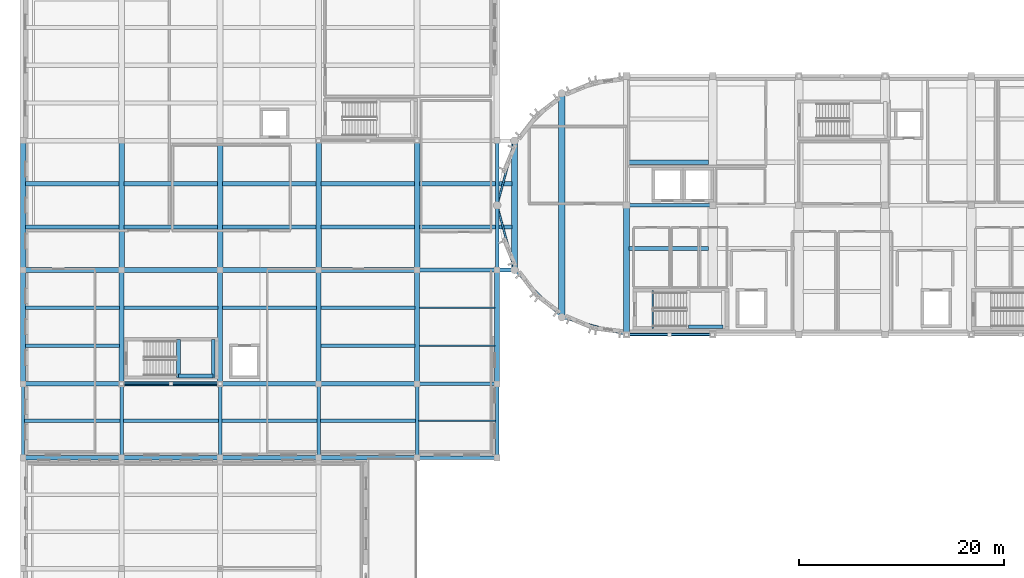
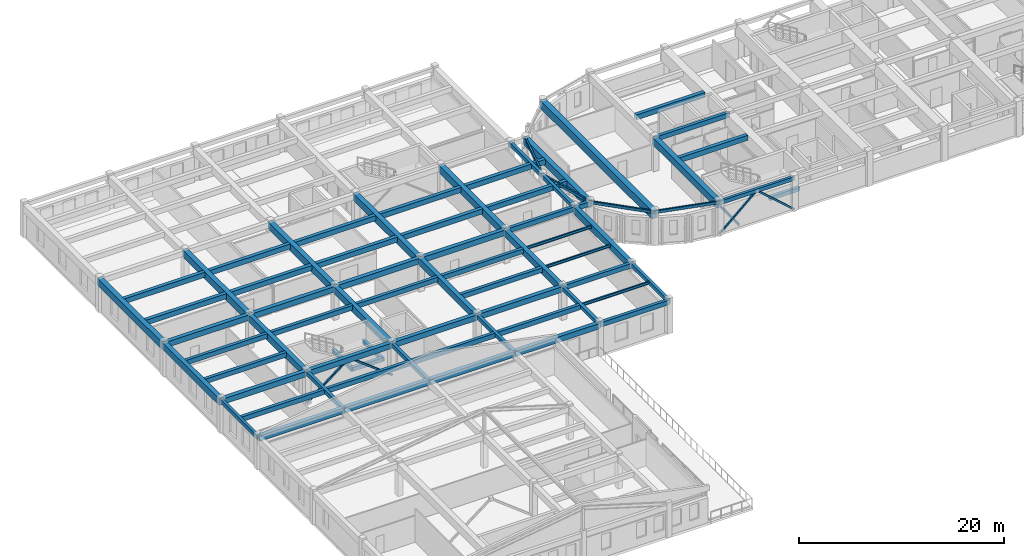
# One storey, part 6 of 31: 73 beams, 5 members.
"""IFC4 building model written with IfcOpenShell, lengths in metres."""

from ifc_helpers import new_model, si_unit, direction, frame, origin, origin_2d, place, context, subcontext, project, spatial, rectangle, hollow_rectangle, i_section, extrude, material, material_profile, profile_set, type_object, element, save


model = new_model("IFC4")

# Units and contexts
model_context = context("Model", 3, precision=1e-05, world=origin(), true_north=direction((0.0, 1.0)))
body_context = subcontext(model_context, "Body", "Model", "MODEL_VIEW")
ifc_project = project(units=[si_unit("LENGTHUNIT", "METRE"), si_unit("AREAUNIT", "SQUARE_METRE"), si_unit("VOLUMEUNIT", "CUBIC_METRE"), si_unit("PLANEANGLEUNIT", "RADIAN"), si_unit("MASSUNIT", "GRAM", prefix="KILO")], contexts=[model_context])

# Site, building, storey
site_placement = place(None, origin())
site = spatial("IfcSite", under=ifc_project, at=site_placement, CompositionType="ELEMENT")
building_placement = place(site_placement, origin())
building = spatial("IfcBuilding", under=site, at=building_placement, Name="Tarnavel Promenade Courthouse", CompositionType="ELEMENT")
storey_placement = place(building_placement, frame((0.0, 0.0, 18.60009765625)))
storey = spatial("IfcBuildingStorey", under=building, at=storey_placement, Name="L05", CompositionType="ELEMENT", Elevation=18.60009765625)

# Beams
ifc_material_1 = material(Name="Concrete C40/50", Category="concrete")
ifc_material_profile_1 = material_profile(ifc_material_1, rectangle(XDim=0.35009765625, YDim=0.550048828125, at=origin_2d()), Name="PT 350x550")
ifc_profile_set_1 = profile_set([ifc_material_profile_1], Name="Concrete C40/50")
beam_type_1 = type_object("IfcBeamType", Name="Concrete C40/50 BM-PT-350x550 (PT 350x550)", PredefinedType="JOIST", material=ifc_profile_set_1)
beam_1_placement = place(storey_placement, frame((0.1201171875, 70.800048828125, 3.64990234375), z_axis=(1.0, 0.0, 0.0), x_axis=(0.0, 1.0, 0.0)))
element("IfcBeam", 1, at=beam_1_placement, inside=storey, type_object=beam_type_1, Name="L05 Secondary Floor Rib 2330", PredefinedType="JOIST", context=body_context, shape_type="SweptSolid", body=[
    extrude(rectangle(XDim=0.35009765625, YDim=0.550048828125, at=origin_2d()), origin(), (0.0, 0.0, 1.0), 9.3349609375),
])
beam_2_placement = place(storey_placement, frame((9.7451171875, 70.800048828125, 3.64990234375), z_axis=(1.0, 0.0, 0.0), x_axis=(0.0, 1.0, 0.0)))
element("IfcBeam", 2, at=beam_2_placement, inside=storey, type_object=beam_type_1, Name="L05 Secondary Floor Rib 2331", PredefinedType="JOIST", context=body_context, shape_type="SweptSolid", body=[
    extrude(rectangle(XDim=0.35009765625, YDim=0.550048828125, at=origin_2d()), origin(), (0.0, 0.0, 1.0), 9.309814453125),
])
beam_3_placement = place(storey_placement, frame((19.344970703125, 70.800048828125, 3.64990234375), z_axis=(1.0, 0.0, 0.0), x_axis=(0.0, 1.0, 0.0)))
element("IfcBeam", 3, at=beam_3_placement, inside=storey, type_object=beam_type_1, Name="L05 Secondary Floor Rib 2332", PredefinedType="JOIST", context=body_context, shape_type="SweptSolid", body=[
    extrude(rectangle(XDim=0.35009765625, YDim=0.550048828125, at=origin_2d()), origin(), (0.0, 0.0, 1.0), 9.31005859375),
])
beam_4_placement = place(storey_placement, frame((28.945068359375, 70.800048828125, 3.64990234375), z_axis=(1.0, 0.0, 0.0), x_axis=(0.0, 1.0, 0.0)))
element("IfcBeam", 4, at=beam_4_placement, inside=storey, type_object=beam_type_1, Name="L05 Secondary Floor Rib 2333", PredefinedType="JOIST", context=body_context, shape_type="SweptSolid", body=[
    extrude(rectangle(XDim=0.35009765625, YDim=0.550048828125, at=origin_2d()), origin(), (0.0, 0.0, 1.0), 9.309814453125),
])
for number, where, z_axis, x_axis, name in (
    (5, (0.219970703125, 78.10009765625, 3.679931640625), (1.0, 0.0, 0.0), (0.0, 1.0, 0.0), "L05 Secondary Floor Rib 2335"),
    (6, (0.219970703125, 81.800048828125, 3.679931640625), (1.0, 0.0, 0.0), (0.0, 1.0, 0.0), "L05 Secondary Floor Rib 2336"),
    (7, (9.820068359375, 81.800048828125, 3.679931640625), (1.0, 0.0, 0.0), (0.0, 1.0, 0.0), "L05 Secondary Floor Rib 2337"),
):
    element("IfcBeam", number, at=place(storey_placement, frame(where, z_axis=z_axis, x_axis=x_axis)), inside=storey, type_object=beam_type_1, Name=name, PredefinedType="JOIST", context=body_context, shape_type="SweptSolid", body=[
        extrude(rectangle(XDim=0.35009765625, YDim=0.550048828125, at=origin_2d()), origin(), (0.0, 0.0, 1.0), 9.159912109375),
    ])
beam_5_placement = place(storey_placement, frame((19.419921875, 81.800048828125, 3.679931640625), z_axis=(1.0, 0.0, 0.0), x_axis=(0.0, 1.0, 0.0)))
element("IfcBeam", 8, at=beam_5_placement, inside=storey, type_object=beam_type_1, Name="L05 Secondary Floor Rib 2338", PredefinedType="JOIST", context=body_context, shape_type="SweptSolid", body=[
    extrude(rectangle(XDim=0.35009765625, YDim=0.550048828125, at=origin_2d()), origin(), (0.0, 0.0, 1.0), 9.16015625),
])
for number, where, z_axis, x_axis, name in (
    (9, (29.02001953125, 78.10009765625, 3.679931640625), (1.0, 0.0, 0.0), (0.0, 1.0, 0.0), "L05 Secondary Floor Rib 2339"),
    (10, (29.02001953125, 81.800048828125, 3.679931640625), (1.0, 0.0, 0.0), (0.0, 1.0, 0.0), "L05 Secondary Floor Rib 2340"),
):
    element("IfcBeam", number, at=place(storey_placement, frame(where, z_axis=z_axis, x_axis=x_axis)), inside=storey, type_object=beam_type_1, Name=name, PredefinedType="JOIST", context=body_context, shape_type="SweptSolid", body=[
        extrude(rectangle(XDim=0.35009765625, YDim=0.550048828125, at=origin_2d()), origin(), (0.0, 0.0, 1.0), 9.159912109375),
    ])
ifc_material_profile_2 = material_profile(ifc_material_1, rectangle(XDim=0.39990234375, YDim=0.60009765625, at=origin_2d()), Name="PT 400x600")
ifc_profile_set_2 = profile_set([ifc_material_profile_2], Name="Concrete C40/50")
beam_type_2 = type_object("IfcBeamType", Name="Concrete C40/50 BM-PT-400x600 (PT 400x600)", PredefinedType="JOIST", material=ifc_profile_set_2)
for number, where, z_axis, x_axis, name in (
    (11, (0.2451171875, 89.699951171875, 3.65478515625), (1.0, 0.0, 0.0), (0.0, 1.0, 0.0), "L05 Secondary Floor Rib 2343"),
    (12, (0.2451171875, 93.89990234375, 3.65478515625), (1.0, 0.0, 0.0), (0.0, 1.0, 0.0), "L05 Secondary Floor Rib 2344"),
):
    element("IfcBeam", number, at=place(storey_placement, frame(where, z_axis=z_axis, x_axis=x_axis)), inside=storey, type_object=beam_type_2, Name=name, PredefinedType="JOIST", context=body_context, shape_type="SweptSolid", body=[
        extrude(rectangle(XDim=0.39990234375, YDim=0.60009765625, at=origin_2d()), origin(), (0.0, 0.0, 1.0), 9.10986328125),
    ])
for number, where, z_axis, x_axis, name in (
    (13, (9.844970703125, 89.699951171875, 3.65478515625), (1.0, 0.0, 0.0), (0.0, 1.0, 0.0), "L05 Secondary Floor Rib 2345"),
    (14, (9.844970703125, 93.89990234375, 3.65478515625), (1.0, 0.0, 0.0), (0.0, 1.0, 0.0), "L05 Secondary Floor Rib 2346"),
):
    element("IfcBeam", number, at=place(storey_placement, frame(where, z_axis=z_axis, x_axis=x_axis)), inside=storey, type_object=beam_type_2, Name=name, PredefinedType="JOIST", context=body_context, shape_type="SweptSolid", body=[
        extrude(rectangle(XDim=0.39990234375, YDim=0.60009765625, at=origin_2d()), origin(), (0.0, 0.0, 1.0), 9.110107421875),
    ])
for number, where, z_axis, x_axis, name in (
    (15, (19.445068359375, 89.699951171875, 3.65478515625), (1.0, 0.0, 0.0), (0.0, 1.0, 0.0), "L05 Secondary Floor Rib 2347"),
    (16, (19.445068359375, 93.89990234375, 3.65478515625), (1.0, 0.0, 0.0), (0.0, 1.0, 0.0), "L05 Secondary Floor Rib 2348"),
):
    element("IfcBeam", number, at=place(storey_placement, frame(where, z_axis=z_axis, x_axis=x_axis)), inside=storey, type_object=beam_type_2, Name=name, PredefinedType="JOIST", context=body_context, shape_type="SweptSolid", body=[
        extrude(rectangle(XDim=0.39990234375, YDim=0.60009765625, at=origin_2d()), origin(), (0.0, 0.0, 1.0), 9.10986328125),
    ])
for number, where, z_axis, x_axis, name in (
    (17, (29.044921875, 89.699951171875, 3.65478515625), (1.0, 0.0, 0.0), (0.0, 1.0, 0.0), "L05 Secondary Floor Rib 2349"),
    (18, (29.044921875, 93.89990234375, 3.65478515625), (1.0, 0.0, 0.0), (0.0, 1.0, 0.0), "L05 Secondary Floor Rib 2350"),
):
    element("IfcBeam", number, at=place(storey_placement, frame(where, z_axis=z_axis, x_axis=x_axis)), inside=storey, type_object=beam_type_2, Name=name, PredefinedType="JOIST", context=body_context, shape_type="SweptSolid", body=[
        extrude(rectangle(XDim=0.39990234375, YDim=0.60009765625, at=origin_2d()), origin(), (0.0, 0.0, 1.0), 9.110107421875),
    ])
for number, where, z_axis, x_axis, name in (
    (19, (38.64501953125, 89.699951171875, 3.65478515625), (1.0, 0.0, 0.0), (0.0, 1.0, 0.0), "L05 Secondary Floor Rib 2351"),
    (20, (38.64501953125, 93.89990234375, 3.65478515625), (1.0, 0.0, 0.0), (0.0, 1.0, 0.0), "L05 Secondary Floor Rib 2352"),
):
    element("IfcBeam", number, at=place(storey_placement, frame(where, z_axis=z_axis, x_axis=x_axis)), inside=storey, type_object=beam_type_2, Name=name, PredefinedType="JOIST", context=body_context, shape_type="SweptSolid", body=[
        extrude(rectangle(XDim=0.39990234375, YDim=0.60009765625, at=origin_2d()), origin(), (0.0, 0.0, 1.0), 8.998046875),
    ])
beam_6_placement = place(storey_placement, frame((59.044921875, 87.60009765625, 3.65478515625), z_axis=(1.0, 0.0, 0.0), x_axis=(0.0, 1.0, 0.0)))
element("IfcBeam", 21, at=beam_6_placement, inside=storey, type_object=beam_type_2, Name="L05 Secondary Floor Rib 2366", PredefinedType="JOIST", context=body_context, shape_type="SweptSolid", body=[
    extrude(rectangle(XDim=0.39990234375, YDim=0.60009765625, at=origin_2d()), origin(), (0.0, 0.0, 1.0), 7.735107421875),
])
beam_7_placement = place(storey_placement, frame((59.044921875, 96.0, 3.65478515625), z_axis=(1.0, 0.0, 0.0), x_axis=(0.0, 1.0, 0.0)))
element("IfcBeam", 22, at=beam_7_placement, inside=storey, type_object=beam_type_2, Name="L05 Secondary Floor Rib 2372", PredefinedType="JOIST", context=body_context, shape_type="SweptSolid", body=[
    extrude(rectangle(XDim=0.39990234375, YDim=0.60009765625, at=origin_2d()), origin(), (0.0, 0.0, 1.0), 7.760009765625),
])
ifc_material_profile_3 = material_profile(ifc_material_1, rectangle(XDim=0.5, YDim=0.800048828125, at=origin_2d()), Name="PT 500x800")
ifc_profile_set_3 = profile_set([ifc_material_profile_3], Name="Concrete C40/50")
beam_type_3 = type_object("IfcBeamType", Name="Concrete C40/50 BM-PT-500x800 (PT 500x800)", PredefinedType="T_BEAM", material=ifc_profile_set_3)
for number, where, z_axis, x_axis, name in (
    (23, (0.0, 74.39990234375, 3.554931640625), (0.0, 1.0, 0.0), (-1.0, 0.0, 0.0), "L05 Transverse Girder 2280"),
    (24, (9.60009765625, 74.39990234375, 3.554931640625), (0.0, 1.0, 0.0), (-1.0, 0.0, 0.0), "L05 Transverse Girder 2286"),
    (25, (19.199951171875, 74.39990234375, 3.554931640625), (0.0, 1.0, 0.0), (-1.0, 0.0, 0.0), "L05 Transverse Girder 2293"),
    (26, (28.800048828125, 74.39990234375, 3.554931640625), (0.0, 1.0, 0.0), (-1.0, 0.0, 0.0), "L05 Transverse Girder 2300"),
    (27, (38.39990234375, 74.39990234375, 3.554931640625), (0.0, 1.0, 0.0), (-1.0, 0.0, 0.0), "L05 Transverse Girder 2304"),
    (28, (46.199951171875, 74.39990234375, 3.554931640625), (0.0, 1.0, 0.0), (-1.0, 0.0, 0.0), "L05 Transverse Girder 2308"),
):
    element("IfcBeam", number, at=place(storey_placement, frame(where, z_axis=z_axis, x_axis=x_axis)), inside=storey, type_object=beam_type_3, Name=name, PredefinedType="T_BEAM", context=body_context, shape_type="SweptSolid", body=[
        extrude(rectangle(XDim=0.5, YDim=0.800048828125, at=origin_2d()), origin(), (0.0, 0.0, 1.0), 11.10009765625),
    ])
ifc_material_profile_4 = material_profile(ifc_material_1, rectangle(XDim=0.550048828125, YDim=0.85009765625, at=origin_2d()), Name="PT 550x850")
ifc_profile_set_4 = profile_set([ifc_material_profile_4], Name="Concrete C40/50")
beam_type_4 = type_object("IfcBeamType", Name="Concrete C40/50 BM-PT-550x850 (PT 550x850)", PredefinedType="T_BEAM", material=ifc_profile_set_4)
for number, where, z_axis, x_axis, name in (
    (29, (0.0, 85.5, 3.52978515625), (0.0, 1.0, 0.0), (-1.0, 0.0, 0.0), "L05 Transverse Girder 2281"),
    (30, (9.60009765625, 85.5, 3.52978515625), (0.0, 1.0, 0.0), (-1.0, 0.0, 0.0), "L05 Transverse Girder 2287"),
    (31, (19.199951171875, 85.5, 3.52978515625), (0.0, 1.0, 0.0), (-1.0, 0.0, 0.0), "L05 Transverse Girder 2294"),
    (32, (28.800048828125, 85.5, 3.52978515625), (0.0, 1.0, 0.0), (-1.0, 0.0, 0.0), "L05 Transverse Girder 2301"),
    (33, (38.39990234375, 85.5, 3.52978515625), (0.0, 1.0, 0.0), (-1.0, 0.0, 0.0), "L05 Transverse Girder 2305"),
    (34, (47.88818359375, 85.5, 3.52978515625), (0.0, 1.0, 0.0), (-1.0, 0.0, 0.0), "L05 Transverse Girder 2312"),
    (35, (58.800048828125, 79.199951171875, 3.52978515625), (0.0, 1.0, 0.0), (-1.0, 0.0, 0.0), "L05 Transverse Girder 2314"),
):
    element("IfcBeam", number, at=place(storey_placement, frame(where, z_axis=z_axis, x_axis=x_axis)), inside=storey, type_object=beam_type_4, Name=name, PredefinedType="T_BEAM", context=body_context, shape_type="SweptSolid", body=[
        extrude(rectangle(XDim=0.550048828125, YDim=0.85009765625, at=origin_2d()), origin(), (0.0, 0.0, 1.0), 12.60009765625),
    ])
ifc_material_profile_5 = material_profile(ifc_material_1, rectangle(XDim=0.60009765625, YDim=0.949951171875, at=origin_2d()), Name="PT 600x950")
ifc_profile_set_5 = profile_set([ifc_material_profile_5], Name="Concrete C40/50")
beam_type_5 = type_object("IfcBeamType", Name="Concrete C40/50 BM-PT-600x950 (PT 600x950)", PredefinedType="T_BEAM", material=ifc_profile_set_5)
beam_8_placement = place(storey_placement, frame((52.5, 80.88818359375, 3.47998046875), z_axis=(0.0, 1.0, 0.0), x_axis=(-1.0, 0.0, 0.0)))
element("IfcBeam", 36, at=beam_8_placement, inside=storey, type_object=beam_type_5, Name="L05 Transverse Girder 2313", PredefinedType="T_BEAM", context=body_context, shape_type="SweptSolid", body=[
    extrude(rectangle(XDim=0.60009765625, YDim=0.949951171875, at=origin_2d()), origin(), (0.0, 0.0, 1.0), 21.82373046875),
])
ifc_material_profile_6 = material_profile(ifc_material_1, rectangle(XDim=0.35009765625, YDim=0.449951171875, at=origin_2d()), Name="RC 350x450")
ifc_profile_set_6 = profile_set([ifc_material_profile_6], Name="Concrete C40/50")
beam_type_6 = type_object("IfcBeamType", Name="Concrete C40/50 BM-RC-350x450 (RC 350x450)", PredefinedType="BEAM", material=ifc_profile_set_6)
for number, where, z_axis, x_axis, name in (
    (37, (9.60009765625, 67.199951171875, 3.699951171875), (0.0, 1.0, 0.0), (-1.0, 0.0, 0.0), "L05 Transverse Girder 2285"),
    (38, (19.199951171875, 67.199951171875, 3.699951171875), (0.0, 1.0, 0.0), (-1.0, 0.0, 0.0), "L05 Transverse Girder 2292"),
    (39, (28.800048828125, 67.199951171875, 3.699951171875), (0.0, 1.0, 0.0), (-1.0, 0.0, 0.0), "L05 Transverse Girder 2299"),
    (40, (38.39990234375, 67.199951171875, 3.699951171875), (0.0, 1.0, 0.0), (-1.0, 0.0, 0.0), "L05 Transverse Girder 2303"),
    (41, (46.199951171875, 67.199951171875, 3.699951171875), (0.0, 1.0, 0.0), (-1.0, 0.0, 0.0), "L05 Transverse Girder 2307"),
):
    element("IfcBeam", number, at=place(storey_placement, frame(where, z_axis=z_axis, x_axis=x_axis)), inside=storey, type_object=beam_type_6, Name=name, PredefinedType="BEAM", context=body_context, shape_type="SweptSolid", body=[
        extrude(rectangle(XDim=0.35009765625, YDim=0.449951171875, at=origin_2d()), origin(), (0.0, 0.0, 1.0), 7.199951171875),
    ])
for number, where, z_axis, x_axis, name in (
    (42, (46.199951171875, 85.5, 3.72998046875), (0.0, 1.0, 0.0), (-1.0, 0.0, 0.0), "L05 Transverse Girder 2309"),
    (43, (46.199951171875, 91.800048828125, 3.72998046875), (0.0, 1.0, 0.0), (-1.0, 0.0, 0.0), "L05 Transverse Girder 2310"),
):
    element("IfcBeam", number, at=place(storey_placement, frame(where, z_axis=z_axis, x_axis=x_axis)), inside=storey, type_object=beam_type_6, Name=name, PredefinedType="BEAM", context=body_context, shape_type="SweptSolid", body=[
        extrude(rectangle(XDim=0.35009765625, YDim=0.449951171875, at=origin_2d()), origin(), (0.0, 0.0, 1.0), 6.300048828125),
    ])
beam_9_placement = place(storey_placement, frame((64.840087890625, 79.949951171875, 1.669921875), z_axis=(1.0, 0.0, 0.0), x_axis=(0.0, 1.0, 0.0)))
element("IfcBeam", 44, at=beam_9_placement, inside=storey, type_object=beam_type_6, Name="L05 ST-01 Mid-Landing Edge Trimmer", PredefinedType="BEAM", context=body_context, shape_type="SweptSolid", body=[
    extrude(rectangle(XDim=0.35009765625, YDim=0.449951171875, at=origin_2d()), origin(), (0.0, 0.0, 1.0), 3.3798828125),
])
for number, where, z_axis, x_axis, name in (
    (45, (15.14990234375, 75.02001953125, 1.669921875), (0.0, 1.0, 0.0), (-1.0, 0.0, 0.0), "L05 ST-04 Mid-Landing Support Beam Near"),
    (46, (18.52001953125, 75.02001953125, 1.669921875), (0.0, 1.0, 0.0), (-1.0, 0.0, 0.0), "L05 ST-04 Mid-Landing Support Beam Far"),
):
    element("IfcBeam", number, at=place(storey_placement, frame(where, z_axis=z_axis, x_axis=x_axis)), inside=storey, type_object=beam_type_6, Name=name, PredefinedType="BEAM", context=body_context, shape_type="SweptSolid", body=[
        extrude(rectangle(XDim=0.35009765625, YDim=0.449951171875, at=origin_2d()), origin(), (0.0, 0.0, 1.0), 3.719970703125),
    ])
beam_10_placement = place(storey_placement, frame((15.14990234375, 75.169921875, 1.669921875), z_axis=(1.0, 0.0, 0.0), x_axis=(0.0, 1.0, 0.0)))
element("IfcBeam", 47, at=beam_10_placement, inside=storey, type_object=beam_type_6, Name="L05 ST-04 Mid-Landing Edge Trimmer", PredefinedType="BEAM", context=body_context, shape_type="SweptSolid", body=[
    extrude(rectangle(XDim=0.35009765625, YDim=0.449951171875, at=origin_2d()), origin(), (0.0, 0.0, 1.0), 3.3701171875),
])
ifc_material_profile_7 = material_profile(ifc_material_1, rectangle(XDim=0.35009765625, YDim=0.550048828125, at=origin_2d()), Name="RC 350x550")
ifc_profile_set_7 = profile_set([ifc_material_profile_7], Name="Concrete C40/50")
beam_type_7 = type_object("IfcBeamType", Name="Concrete C40/50 BM-RC-350x550 (RC 350x550)", PredefinedType="BEAM", material=ifc_profile_set_7)
for number, where, z_axis, x_axis, name in (
    (48, (38.39990234375, 67.199951171875, 3.64990234375), (1.0, 0.0, 0.0), (0.0, 1.0, 0.0), "L05 Primary Longitudinal Beam 2237"),
    (49, (38.39990234375, 74.39990234375, 3.679931640625), (1.0, 0.0, 0.0), (0.0, 1.0, 0.0), "L05 Primary Longitudinal Beam 2242"),
    (50, (38.39990234375, 85.5, 3.679931640625), (1.0, 0.0, 0.0), (0.0, 1.0, 0.0), "L05 Primary Longitudinal Beam 2252"),
):
    element("IfcBeam", number, at=place(storey_placement, frame(where, z_axis=z_axis, x_axis=x_axis)), inside=storey, type_object=beam_type_7, Name=name, PredefinedType="BEAM", context=body_context, shape_type="SweptSolid", body=[
        extrude(rectangle(XDim=0.35009765625, YDim=0.550048828125, at=origin_2d()), origin(), (0.0, 0.0, 1.0), 7.800048828125),
    ])
beam_11_placement = place(storey_placement, frame((46.199951171875, 85.5, 3.679931640625), z_axis=(1.0, 0.0, 0.0), x_axis=(0.0, 1.0, 0.0)))
element("IfcBeam", 51, at=beam_11_placement, inside=storey, type_object=beam_type_7, Name="L05 Primary Longitudinal Beam 2253", PredefinedType="BEAM", context=body_context, shape_type="SweptSolid", body=[
    extrude(rectangle(XDim=0.35009765625, YDim=0.550048828125, at=origin_2d()), origin(), (0.0, 0.0, 1.0), 1.688232421875),
])
beam_12_placement = place(storey_placement, frame((58.800048828125, 91.800048828125, 3.679931640625), z_axis=(1.0, 0.0, 0.0), x_axis=(0.0, 1.0, 0.0)))
element("IfcBeam", 52, at=beam_12_placement, inside=storey, type_object=beam_type_7, Name="L05 Primary Longitudinal Beam 2254", PredefinedType="BEAM", context=body_context, shape_type="SweptSolid", body=[
    extrude(rectangle(XDim=0.35009765625, YDim=0.550048828125, at=origin_2d()), origin(), (0.0, 0.0, 1.0), 8.39990234375),
])
ifc_material_profile_8 = material_profile(ifc_material_1, rectangle(XDim=0.449951171875, YDim=0.64990234375, at=origin_2d()), Name="RC 450x650")
ifc_profile_set_8 = profile_set([ifc_material_profile_8], Name="Concrete C40/50")
beam_type_8 = type_object("IfcBeamType", Name="Concrete C40/50 BM-RC-450x650 (RC 450x650)", PredefinedType="T_BEAM", material=ifc_profile_set_8)
beam_13_placement = place(storey_placement, frame((0.0, 67.199951171875, 3.599853515625), z_axis=(1.0, 0.0, 0.0), x_axis=(0.0, 1.0, 0.0)))
element("IfcBeam", 53, at=beam_13_placement, inside=storey, type_object=beam_type_8, Name="L05 Primary Longitudinal Beam 2233", PredefinedType="T_BEAM", context=body_context, shape_type="SweptSolid", body=[
    extrude(rectangle(XDim=0.449951171875, YDim=0.64990234375, at=origin_2d()), origin(), (0.0, 0.0, 1.0), 9.60009765625),
])
beam_14_placement = place(storey_placement, frame((9.60009765625, 67.199951171875, 3.599853515625), z_axis=(1.0, 0.0, 0.0), x_axis=(0.0, 1.0, 0.0)))
element("IfcBeam", 54, at=beam_14_placement, inside=storey, type_object=beam_type_8, Name="L05 Primary Longitudinal Beam 2234", PredefinedType="T_BEAM", context=body_context, shape_type="SweptSolid", body=[
    extrude(rectangle(XDim=0.449951171875, YDim=0.64990234375, at=origin_2d()), origin(), (0.0, 0.0, 1.0), 9.599853515625),
])
beam_15_placement = place(storey_placement, frame((19.199951171875, 67.199951171875, 3.599853515625), z_axis=(1.0, 0.0, 0.0), x_axis=(0.0, 1.0, 0.0)))
element("IfcBeam", 55, at=beam_15_placement, inside=storey, type_object=beam_type_8, Name="L05 Primary Longitudinal Beam 2235", PredefinedType="T_BEAM", context=body_context, shape_type="SweptSolid", body=[
    extrude(rectangle(XDim=0.449951171875, YDim=0.64990234375, at=origin_2d()), origin(), (0.0, 0.0, 1.0), 9.60009765625),
])
beam_16_placement = place(storey_placement, frame((28.800048828125, 67.199951171875, 3.599853515625), z_axis=(1.0, 0.0, 0.0), x_axis=(0.0, 1.0, 0.0)))
element("IfcBeam", 56, at=beam_16_placement, inside=storey, type_object=beam_type_8, Name="L05 Primary Longitudinal Beam 2236", PredefinedType="T_BEAM", context=body_context, shape_type="SweptSolid", body=[
    extrude(rectangle(XDim=0.449951171875, YDim=0.64990234375, at=origin_2d()), origin(), (0.0, 0.0, 1.0), 9.599853515625),
])
beam_17_placement = place(storey_placement, frame((0.0, 74.39990234375, 3.6298828125), z_axis=(1.0, 0.0, 0.0), x_axis=(0.0, 1.0, 0.0)))
element("IfcBeam", 57, at=beam_17_placement, inside=storey, type_object=beam_type_8, Name="L05 Primary Longitudinal Beam 2238", PredefinedType="T_BEAM", context=body_context, shape_type="SweptSolid", body=[
    extrude(rectangle(XDim=0.449951171875, YDim=0.64990234375, at=origin_2d()), origin(), (0.0, 0.0, 1.0), 9.60009765625),
])
beam_18_placement = place(storey_placement, frame((9.60009765625, 74.39990234375, 3.6298828125), z_axis=(1.0, 0.0, 0.0), x_axis=(0.0, 1.0, 0.0)))
element("IfcBeam", 58, at=beam_18_placement, inside=storey, type_object=beam_type_8, Name="L05 Primary Longitudinal Beam 2239", PredefinedType="T_BEAM", context=body_context, shape_type="SweptSolid", body=[
    extrude(rectangle(XDim=0.449951171875, YDim=0.64990234375, at=origin_2d()), origin(), (0.0, 0.0, 1.0), 9.599853515625),
])
beam_19_placement = place(storey_placement, frame((19.199951171875, 74.39990234375, 3.6298828125), z_axis=(1.0, 0.0, 0.0), x_axis=(0.0, 1.0, 0.0)))
element("IfcBeam", 59, at=beam_19_placement, inside=storey, type_object=beam_type_8, Name="L05 Primary Longitudinal Beam 2240", PredefinedType="T_BEAM", context=body_context, shape_type="SweptSolid", body=[
    extrude(rectangle(XDim=0.449951171875, YDim=0.64990234375, at=origin_2d()), origin(), (0.0, 0.0, 1.0), 9.60009765625),
])
beam_20_placement = place(storey_placement, frame((28.800048828125, 74.39990234375, 3.6298828125), z_axis=(1.0, 0.0, 0.0), x_axis=(0.0, 1.0, 0.0)))
element("IfcBeam", 60, at=beam_20_placement, inside=storey, type_object=beam_type_8, Name="L05 Primary Longitudinal Beam 2241", PredefinedType="T_BEAM", context=body_context, shape_type="SweptSolid", body=[
    extrude(rectangle(XDim=0.449951171875, YDim=0.64990234375, at=origin_2d()), origin(), (0.0, 0.0, 1.0), 9.599853515625),
])
beam_21_placement = place(storey_placement, frame((0.0, 85.5, 3.6298828125), z_axis=(1.0, 0.0, 0.0), x_axis=(0.0, 1.0, 0.0)))
element("IfcBeam", 61, at=beam_21_placement, inside=storey, type_object=beam_type_8, Name="L05 Primary Longitudinal Beam 2248", PredefinedType="T_BEAM", context=body_context, shape_type="SweptSolid", body=[
    extrude(rectangle(XDim=0.449951171875, YDim=0.64990234375, at=origin_2d()), origin(), (0.0, 0.0, 1.0), 9.60009765625),
])
beam_22_placement = place(storey_placement, frame((9.60009765625, 85.5, 3.6298828125), z_axis=(1.0, 0.0, 0.0), x_axis=(0.0, 1.0, 0.0)))
element("IfcBeam", 62, at=beam_22_placement, inside=storey, type_object=beam_type_8, Name="L05 Primary Longitudinal Beam 2249", PredefinedType="T_BEAM", context=body_context, shape_type="SweptSolid", body=[
    extrude(rectangle(XDim=0.449951171875, YDim=0.64990234375, at=origin_2d()), origin(), (0.0, 0.0, 1.0), 9.599853515625),
])
beam_23_placement = place(storey_placement, frame((19.199951171875, 85.5, 3.6298828125), z_axis=(1.0, 0.0, 0.0), x_axis=(0.0, 1.0, 0.0)))
element("IfcBeam", 63, at=beam_23_placement, inside=storey, type_object=beam_type_8, Name="L05 Primary Longitudinal Beam 2250", PredefinedType="T_BEAM", context=body_context, shape_type="SweptSolid", body=[
    extrude(rectangle(XDim=0.449951171875, YDim=0.64990234375, at=origin_2d()), origin(), (0.0, 0.0, 1.0), 9.60009765625),
])
beam_24_placement = place(storey_placement, frame((28.800048828125, 85.5, 3.6298828125), z_axis=(1.0, 0.0, 0.0), x_axis=(0.0, 1.0, 0.0)))
element("IfcBeam", 64, at=beam_24_placement, inside=storey, type_object=beam_type_8, Name="L05 Primary Longitudinal Beam 2251", PredefinedType="T_BEAM", context=body_context, shape_type="SweptSolid", body=[
    extrude(rectangle(XDim=0.449951171875, YDim=0.64990234375, at=origin_2d()), origin(), (0.0, 0.0, 1.0), 9.599853515625),
])
ifc_material_profile_9 = material_profile(ifc_material_1, rectangle(XDim=0.300048828125, YDim=0.449951171875, at=origin_2d()), Name="RC 300x450")
ifc_profile_set_9 = profile_set([ifc_material_profile_9], Name="Concrete C40/50")
beam_type_9 = type_object("IfcBeamType", Name="Concrete C40/50 BM-SP-300x450 (RC 300x450)", PredefinedType="SPANDREL", material=ifc_profile_set_9)
beam_25_placement = place(storey_placement, frame((58.800048828125, 79.199951171875, 3.72998046875), z_axis=(1.0, 0.0, 0.0), x_axis=(0.0, 1.0, 0.0)))
element("IfcBeam", 65, at=beam_25_placement, inside=storey, type_object=beam_type_9, Name="L05 Primary Longitudinal Beam 2243", PredefinedType="SPANDREL", context=body_context, shape_type="SweptSolid", body=[
    extrude(rectangle(XDim=0.300048828125, YDim=0.449951171875, at=origin_2d()), origin(), (0.0, 0.0, 1.0), 8.39990234375),
])
ifc_material_profile_10 = material_profile(ifc_material_1, rectangle(XDim=0.300048828125, YDim=0.5, at=origin_2d()), Name="RC 300x500")
ifc_profile_set_10 = profile_set([ifc_material_profile_10], Name="Concrete C40/50")
beam_type_10 = type_object("IfcBeamType", Name="Concrete C40/50 BM-SP-300x500 (RC 300x500)", PredefinedType="SPANDREL", material=ifc_profile_set_10)
beam_26_placement = place(storey_placement, frame((0.0, 67.199951171875, 3.6748046875), z_axis=(0.0, 1.0, 0.0), x_axis=(-1.0, 0.0, 0.0)))
element("IfcBeam", 66, at=beam_26_placement, inside=storey, type_object=beam_type_10, Name="L05 Transverse Girder 2279", PredefinedType="SPANDREL", context=body_context, shape_type="SweptSolid", body=[
    extrude(rectangle(XDim=0.300048828125, YDim=0.5, at=origin_2d()), origin(), (0.0, 0.0, 1.0), 7.199951171875),
])
ifc_material_2 = material(Name="Steel S355J2", Category="steel")
ifc_material_profile_11 = material_profile(ifc_material_2, i_section(OverallWidth=0.159912109375, OverallDepth=0.330078125, WebThickness=0.007568359375, FlangeThickness=0.011474609375, FilletRadius=0.01806640625, at=origin_2d()), Name="IPE 330")
ifc_profile_set_11 = profile_set([ifc_material_profile_11], Name="Steel S355J2")
beam_type_11 = type_object("IfcBeamType", Name="Steel S355J2 BM-ST-IPE330 (IPE 330)", PredefinedType="JOIST", material=ifc_profile_set_11)
beam_27_placement = place(storey_placement, frame((38.544921875, 70.800048828125, 3.760009765625), z_axis=(1.0, 0.0, 0.0), x_axis=(0.0, 1.0, 0.0)))
element("IfcBeam", 67, at=beam_27_placement, inside=storey, type_object=beam_type_11, Name="L05 Secondary Floor Rib 2334", PredefinedType="JOIST", context=body_context, shape_type="SweptSolid", body=[
    extrude(i_section(OverallWidth=0.159912109375, OverallDepth=0.330078125, WebThickness=0.007568359375, FlangeThickness=0.011474609375, FilletRadius=0.01806640625, at=origin_2d()), origin(), (0.0, 0.0, 1.0), 7.510009765625),
])
for number, where, z_axis, x_axis, name in (
    (68, (38.6201171875, 78.10009765625, 3.789794921875), (1.0, 0.0, 0.0), (0.0, 1.0, 0.0), "L05 Secondary Floor Rib 2341"),
    (69, (38.6201171875, 81.800048828125, 3.789794921875), (1.0, 0.0, 0.0), (0.0, 1.0, 0.0), "L05 Secondary Floor Rib 2342"),
):
    element("IfcBeam", number, at=place(storey_placement, frame(where, z_axis=z_axis, x_axis=x_axis)), inside=storey, type_object=beam_type_11, Name=name, PredefinedType="JOIST", context=body_context, shape_type="SweptSolid", body=[
        extrude(i_section(OverallWidth=0.159912109375, OverallDepth=0.330078125, WebThickness=0.007568359375, FlangeThickness=0.011474609375, FilletRadius=0.01806640625, at=origin_2d()), origin(), (0.0, 0.0, 1.0), 7.35986328125),
    ])
ifc_material_profile_12 = material_profile(ifc_material_2, hollow_rectangle(XDim=0.199951171875, YDim=0.35009765625, WallThickness=0.012451171875, InnerFilletRadius=0.012451171875, OuterFilletRadius=0.02490234375, at=origin_2d()), Name="RHS 350x200x12.5")
ifc_profile_set_12 = profile_set([ifc_material_profile_12], Name="Steel S355J2")
beam_type_12 = type_object("IfcBeamType", Name="Steel S355J2 BM-ST-RHS350 (RHS 350x200x12.5)", PredefinedType="SPANDREL", material=ifc_profile_set_12)
for number, where, z_axis, x_axis, name in (
    (70, (47.88818359375, 98.10009765625, 3.77978515625), (-0.258838989821, -0.965920481897, 0.0), (0.965920481897, -0.258838989821, 0.0), "L05 Drum Ring Spandrel 2381"),
    (71, (46.199951171875, 91.800048828125, 3.77978515625), (0.258838989821, -0.965920481897, 0.0), (0.965920481897, 0.258838989821, 0.0), "L05 Drum Ring Spandrel 2382"),
):
    element("IfcBeam", number, at=place(storey_placement, frame(where, z_axis=z_axis, x_axis=x_axis)), inside=storey, type_object=beam_type_12, Name=name, PredefinedType="SPANDREL", context=body_context, shape_type="SweptSolid", body=[
        extrude(hollow_rectangle(XDim=0.199951171875, YDim=0.35009765625, WallThickness=0.012451171875, InnerFilletRadius=0.012451171875, OuterFilletRadius=0.02490234375, at=origin_2d()), origin(), (0.0, 0.0, 1.0), 6.522216796875),
    ])
beam_28_placement = place(storey_placement, frame((47.88818359375, 85.5, 3.77978515625), z_axis=(0.707106781187, -0.707106781187, 0.0), x_axis=(0.707106781187, 0.707106781187, 0.0)))
element("IfcBeam", 72, at=beam_28_placement, inside=storey, type_object=beam_type_12, Name="L05 Drum Ring Spandrel 2383", PredefinedType="SPANDREL", context=body_context, shape_type="SweptSolid", body=[
    extrude(hollow_rectangle(XDim=0.199951171875, YDim=0.35009765625, WallThickness=0.012451171875, InnerFilletRadius=0.012451171875, OuterFilletRadius=0.02490234375, at=origin_2d()), origin(), (0.0, 0.0, 1.0), 6.52197265625),
])
beam_29_placement = place(storey_placement, frame((52.5, 80.88818359375, 3.77978515625), z_axis=(0.965920481897, -0.258838989821, 0.0), x_axis=(0.258838989821, 0.965920481897, 0.0)))
element("IfcBeam", 73, at=beam_29_placement, inside=storey, type_object=beam_type_12, Name="L05 Drum Ring Spandrel 2384", PredefinedType="SPANDREL", context=body_context, shape_type="SweptSolid", body=[
    extrude(hollow_rectangle(XDim=0.199951171875, YDim=0.35009765625, WallThickness=0.012451171875, InnerFilletRadius=0.012451171875, OuterFilletRadius=0.02490234375, at=origin_2d()), origin(), (0.0, 0.0, 1.0), 6.522216796875),
])

# Members
ifc_material_profile_13 = material_profile(ifc_material_2, hollow_rectangle(XDim=0.199951171875, YDim=0.199951171875, WallThickness=0.012451171875, InnerFilletRadius=0.012451171875, OuterFilletRadius=0.02490234375, at=origin_2d()), Name="SHS 200x200x12.5")
ifc_profile_set_13 = profile_set([ifc_material_profile_13], Name="Steel S355J2")
member_type_1 = type_object("IfcMemberType", Name="Steel S355J2 MEM-BR-SHS200 (SHS 200x200x12.5)", PredefinedType="BRACE", material=ifc_profile_set_13)
for number, where, z_axis, x_axis, name in (
    (74, (58.800048828125, 79.199951171875, 0.0), (0.749926900008, 0.0, 0.661520706134), (0.0, 1.0, 0.0), "L05 V5 Chevron Brace A 006"),
    (75, (67.199951171875, 79.199951171875, 0.0), (-0.749926900008, 0.0, 0.661520706134), (0.0, -1.0, 0.0), "L05 V5 Chevron Brace B 006"),
):
    element("IfcMember", number, at=place(storey_placement, frame(where, z_axis=z_axis, x_axis=x_axis)), inside=storey, type_object=member_type_1, Name=name, PredefinedType="BRACE", context=body_context, shape_type="SweptSolid", body=[
        extrude(hollow_rectangle(XDim=0.199951171875, YDim=0.199951171875, WallThickness=0.012451171875, InnerFilletRadius=0.012451171875, OuterFilletRadius=0.02490234375, at=origin_2d()), origin(), (0.0, 0.0, 1.0), 5.6005859375),
    ])
member_1_placement = place(storey_placement, frame((9.60009765625, 74.39990234375, 0.0), z_axis=(0.791612530341, 0.0, 0.611023405286), x_axis=(0.0, 1.0, 0.0)))
element("IfcMember", 76, at=member_1_placement, inside=storey, type_object=member_type_1, Name="L05 V2 Chevron Brace A 033", PredefinedType="BRACE", context=body_context, shape_type="SweptSolid", body=[
    extrude(hollow_rectangle(XDim=0.199951171875, YDim=0.199951171875, WallThickness=0.012451171875, InnerFilletRadius=0.012451171875, OuterFilletRadius=0.02490234375, at=origin_2d()), origin(), (0.0, 0.0, 1.0), 6.063232421875),
])
member_2_placement = place(storey_placement, frame((19.199951171875, 74.39990234375, 0.0), z_axis=(-0.791627562594, 0.0, 0.611003929727), x_axis=(0.0, -1.0, 0.0)))
element("IfcMember", 77, at=member_2_placement, inside=storey, type_object=member_type_1, Name="L05 V2 Chevron Brace B 033", PredefinedType="BRACE", context=body_context, shape_type="SweptSolid", body=[
    extrude(hollow_rectangle(XDim=0.199951171875, YDim=0.199951171875, WallThickness=0.012451171875, InnerFilletRadius=0.012451171875, OuterFilletRadius=0.02490234375, at=origin_2d()), origin(), (0.0, 0.0, 1.0), 6.0634765625),
])
ifc_material_profile_14 = material_profile(ifc_material_2, hollow_rectangle(XDim=0.14990234375, YDim=0.25, WallThickness=0.010009765625, InnerFilletRadius=0.010009765625, OuterFilletRadius=0.02001953125, at=origin_2d()), Name="RHS 250x150x10")
ifc_profile_set_14 = profile_set([ifc_material_profile_14], Name="Steel S355J2")
member_type_2 = type_object("IfcMemberType", Name="Steel S355J2 Stair Stringer MEM-STR-250 (RHS 250x150x10)", PredefinedType="STRINGER", material=ifc_profile_set_14)
member_3_placement = place(storey_placement, frame((61.360107421875, 79.800048828125, -0.18017578125), z_axis=(0.0, 1.0, 0.0), x_axis=(-1.0, 0.0, 0.0)))
element("IfcMember", 78, at=member_3_placement, inside=storey, type_object=member_type_2, Name="L05 ST-01 Stair Header Stringer", PredefinedType="STRINGER", context=body_context, shape_type="SweptSolid", body=[
    extrude(hollow_rectangle(XDim=0.14990234375, YDim=0.25, WallThickness=0.010009765625, InnerFilletRadius=0.010009765625, OuterFilletRadius=0.02001953125, at=origin_2d()), origin(), (0.0, 0.0, 1.0), 3.719970703125),
])

save(model, "model.ifc")
